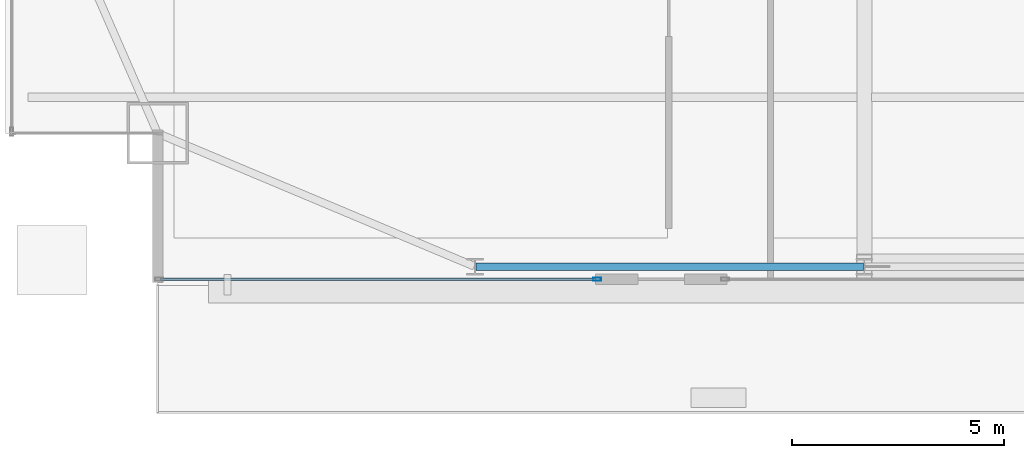
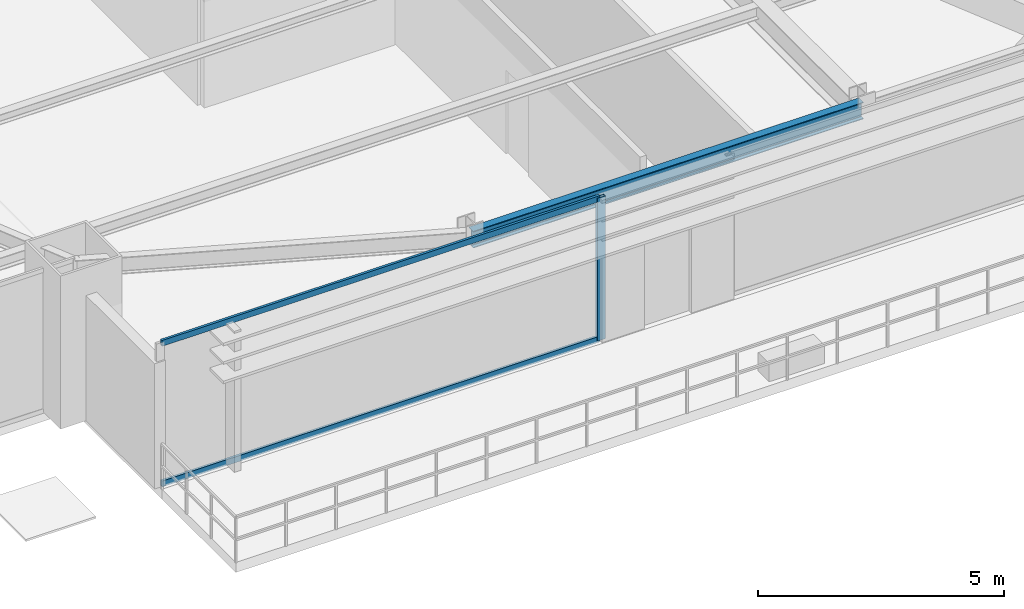
# One storey, part 4 of 35: 3 members, 1 beam, 1 element without a shape of its own.
"""IFC4 building model written with IfcOpenShell, lengths in metres."""

from ifc_helpers import new_model, si_unit, direction, frame, origin, origin_2d, place, context, subcontext, project, spatial, hollow_rectangle, i_section, extrude, source, transform, mapped, material, layer, layer_set, material_profile, profile_set, type_object, type_shapes, element, aggregate, save


model = new_model("IFC4")

# Units and contexts
model_context = context("Model", 3, precision=1e-05, world=origin(), true_north=direction((0.0, 1.0)))
body_context = subcontext(model_context, "Body", "Model", "MODEL_VIEW")
ifc_project = project(units=[si_unit("LENGTHUNIT", "METRE"), si_unit("AREAUNIT", "SQUARE_METRE"), si_unit("VOLUMEUNIT", "CUBIC_METRE"), si_unit("PLANEANGLEUNIT", "RADIAN"), si_unit("MASSUNIT", "GRAM", prefix="KILO")], contexts=[model_context])

# Site, building, storey
site_placement = place(None, origin())
site = spatial("IfcSite", under=ifc_project, at=site_placement, CompositionType="ELEMENT")
building_placement = place(site_placement, origin())
building = spatial("IfcBuilding", under=site, at=building_placement, Name="Varnel Quay Broadcast Tower", CompositionType="ELEMENT")
storey_placement = place(building_placement, frame((0.0, 0.0, 87.0)))
storey = spatial("IfcBuildingStorey", under=building, at=storey_placement, Name="L20", CompositionType="ELEMENT", Elevation=87.0)

# Beam
ifc_material_1 = material(Name="Structural Steel CSA G40.21 350W", Category="steel")
ifc_material_profile_1 = material_profile(ifc_material_1, i_section(OverallWidth=0.180908203125, OverallDepth=0.4169921875, WebThickness=0.010986328125, FlangeThickness=0.018310546875, FilletRadius=0.011962890625, at=origin_2d()), Name="W410X85")
ifc_profile_set_1 = profile_set([ifc_material_profile_1], Name="Structural Steel CSA G40.21 350W")
beam_type = type_object("IfcBeamType", Name="Beam_W410X85", PredefinedType="SPANDREL", material=ifc_profile_set_1)
shared_shape_1 = source(origin(), body_context, "Body", "SweptSolid", [
    extrude(i_section(OverallWidth=0.180908203125, OverallDepth=0.4169921875, WebThickness=0.010986328125, FlangeThickness=0.018310546875, FilletRadius=0.011962890625, at=origin_2d()), origin(), (0.0, 0.0, 1.0), 9.159912109375),
])
type_shapes(beam_type, [shared_shape_1])
beam_placement = place(storey_placement, frame((15.6201171875, 4.64990234375, 3.341552734375), z_axis=(1.0, 0.0, 0.0), x_axis=(0.0, 1.0, 0.0)))
element("IfcBeam", 1, at=beam_placement, inside=storey, type_object=beam_type, Name="L20 South Spandrel TC-S1-TC-S2", PredefinedType="SPANDREL", context=body_context, shape_type="MappedRepresentation", body=[
    mapped(shared_shape_1, transform((0.0, 0.0, 0.0), x_axis=(1.0, 0.0, 0.0), y_axis=(0.0, 1.0, 0.0), z_axis=(0.0, 0.0, 1.0), scale=1.0)),
])

# Curtain wall, members
ifc_material_2 = material(Name="Anodised Bronze Aluminium 6063-T6", Category="aluminium")
ifc_layer = layer(ifc_material_2, 0.18994140625, Name="Anodised Bronze Aluminium 6063-T6")
ifc_layer_set = layer_set([ifc_layer], Name="Anodised Bronze Aluminium 6063-T6")
curtain_wall_type = type_object("IfcCurtainWallType", Name="CW_LowerTower", PredefinedType="NOTDEFINED", material=ifc_layer_set)
curtain_wall_placement = place(storey_placement, origin())
curtain_wall = element("IfcCurtainWall", 2, at=curtain_wall_placement, inside=storey, type_object=curtain_wall_type, Name="L20 South Unitised Curtain Wall 1", PredefinedType="NOTDEFINED")
ifc_material_profile_2 = material_profile(ifc_material_2, hollow_rectangle(XDim=0.070068359375, YDim=0.18994140625, WallThickness=0.00390625, at=origin_2d()), Name="ALU70X190X4")
ifc_profile_set_2 = profile_set([ifc_material_profile_2], Name="Anodised Bronze Aluminium 6063-T6")
member_type_1 = type_object("IfcMemberType", Name="Mull_CWS-02", PredefinedType="MULLION", material=ifc_profile_set_2)
shared_shape_2 = source(origin(), body_context, "Body", "SweptSolid", [
    extrude(hollow_rectangle(XDim=0.070068359375, YDim=0.18994140625, WallThickness=0.00390625, at=origin_2d()), origin(), (0.0, 0.0, 1.0), 3.550048828125),
])
type_shapes(member_type_1, [shared_shape_2])
member_1_placement = place(storey_placement, frame((18.485107421875, 4.35009765625, 0.0), z_axis=(0.0, 0.0, 1.0), x_axis=(0.0, 1.0, 0.0)))
member_1 = element("IfcMember", 3, at=member_1_placement, type_object=member_type_1, Name="CWS-02 mullion 2", PredefinedType="MULLION", context=body_context, shape_type="MappedRepresentation", body=[
    mapped(shared_shape_2, transform((0.0, 0.0, 0.0), x_axis=(1.0, 0.0, 0.0), y_axis=(0.0, 1.0, 0.0), z_axis=(0.0, 0.0, 1.0), scale=1.0)),
])
ifc_material_profile_3 = material_profile(ifc_material_2, hollow_rectangle(XDim=0.06005859375, YDim=0.14501953125, WallThickness=0.00341796875, at=origin_2d()), Name="ALU60X145X3.5")
ifc_profile_set_3 = profile_set([ifc_material_profile_3], Name="Anodised Bronze Aluminium 6063-T6")
member_type_2 = type_object("IfcMemberType", Name="Tran_CWS-02", PredefinedType="USERDEFINED", material=ifc_profile_set_3)
shared_shape_3 = source(origin(), body_context, "Body", "SweptSolid", [
    extrude(hollow_rectangle(XDim=0.06005859375, YDim=0.14501953125, WallThickness=0.00341796875, at=origin_2d()), origin(), (0.0, 0.0, 1.0), 10.280029296875),
])
type_shapes(member_type_2, [shared_shape_3])
member_2_placement = place(storey_placement, frame((8.169921875, 4.35009765625, 0.030029296875), z_axis=(1.0, 0.0, 0.0), x_axis=(0.0, 1.0, 0.0)))
member_2 = element("IfcMember", 4, at=member_2_placement, type_object=member_type_2, Name="CWS-02 transom 1.1", ObjectType="TRANSOM", PredefinedType="USERDEFINED", context=body_context, shape_type="MappedRepresentation", body=[
    mapped(shared_shape_3, transform((0.0, 0.0, 0.0), x_axis=(1.0, 0.0, 0.0), y_axis=(0.0, 1.0, 0.0), z_axis=(0.0, 0.0, 1.0), scale=1.0)),
])
member_3_placement = place(storey_placement, frame((8.169921875, 4.35009765625, 3.52001953125), z_axis=(1.0, 0.0, 0.0), x_axis=(0.0, 1.0, 0.0)))
member_3 = element("IfcMember", 5, at=member_3_placement, type_object=member_type_2, Name="CWS-02 transom 1.2", ObjectType="TRANSOM", PredefinedType="USERDEFINED", context=body_context, shape_type="MappedRepresentation", body=[
    mapped(shared_shape_3, transform((0.0, 0.0, 0.0), x_axis=(1.0, 0.0, 0.0), y_axis=(0.0, 1.0, 0.0), z_axis=(0.0, 0.0, 1.0), scale=1.0)),
])
aggregate(curtain_wall, [member_1, member_2, member_3])

save(model, "model.ifc")
